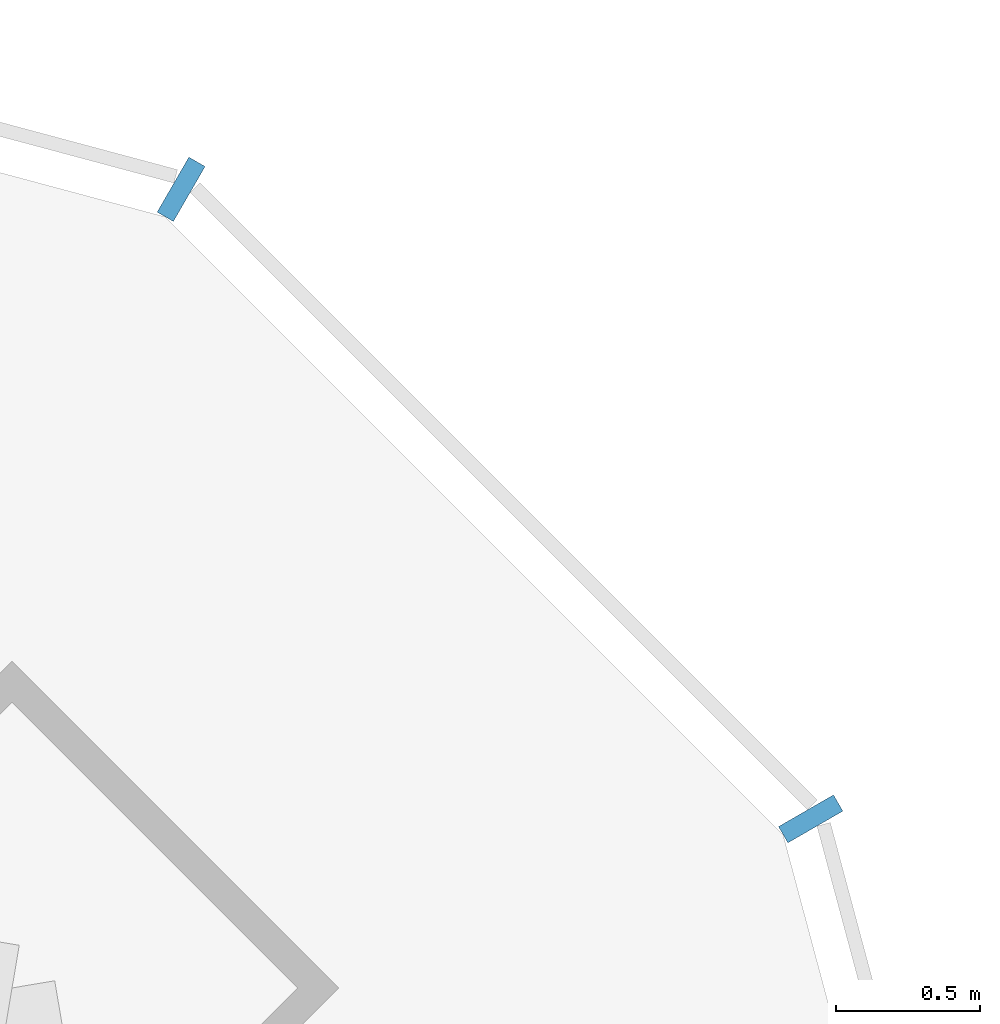
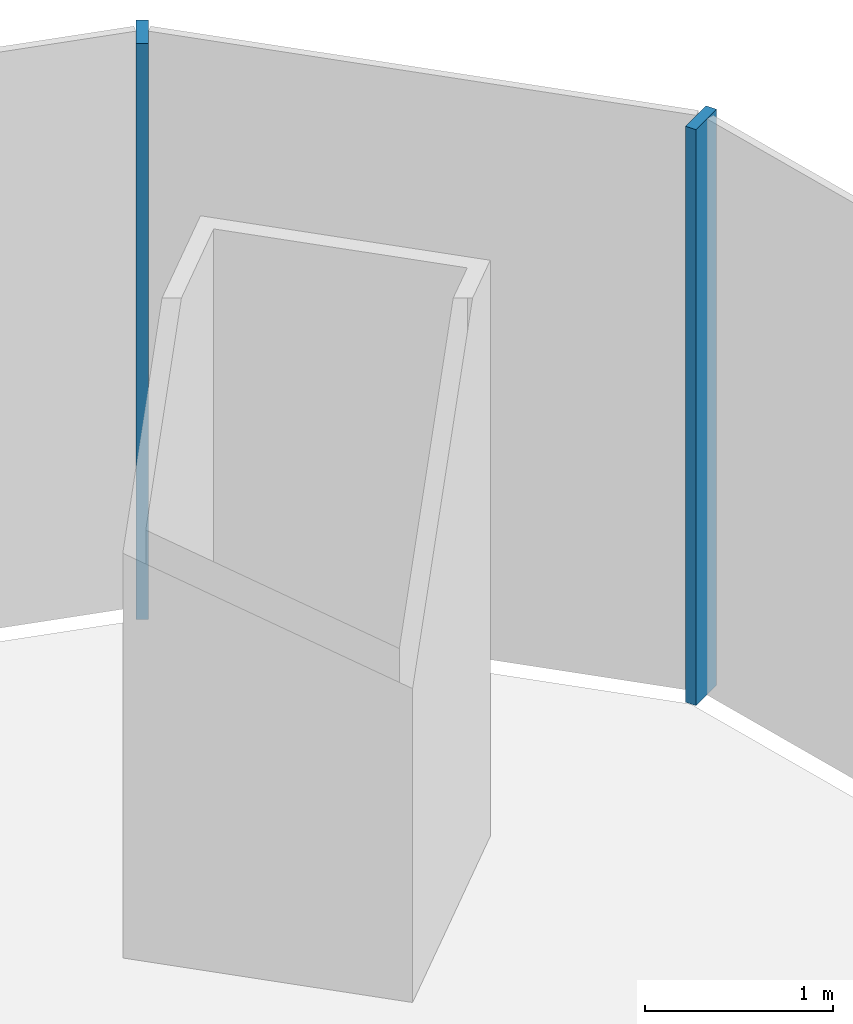
# One storey, part 8 of 20: 2 members, 1 element without a shape of its own.
"""IFC4 building model written with IfcOpenShell, lengths in metres."""

from ifc_helpers import new_model, si_unit, direction, frame, origin, origin_2d, place, context, subcontext, project, spatial, rectangle, extrude, material, material_profile, profile_set, type_object, element, aggregate, save


model = new_model("IFC4")

# Units and contexts
model_context = context("Model", 3, precision=1e-05, world=origin(), true_north=direction((0.0, 1.0)))
body_context = subcontext(model_context, "Body", "Model", "MODEL_VIEW")
ifc_project = project(units=[si_unit("LENGTHUNIT", "METRE"), si_unit("AREAUNIT", "SQUARE_METRE"), si_unit("VOLUMEUNIT", "CUBIC_METRE"), si_unit("PLANEANGLEUNIT", "RADIAN"), si_unit("MASSUNIT", "GRAM", prefix="KILO")], contexts=[model_context])

# Site, building, storey
site_placement = place(None, origin())
site = spatial("IfcSite", under=ifc_project, at=site_placement, CompositionType="ELEMENT")
building_placement = place(site_placement, origin())
building = spatial("IfcBuilding", under=site, at=building_placement, Name="Khuree Lantern Residences", CompositionType="ELEMENT")
storey_placement = place(building_placement, frame((0.0, 0.0, 32.25)))
storey = spatial("IfcBuildingStorey", under=building, at=storey_placement, Name="L07", CompositionType="ELEMENT", Elevation=32.25)

# Curtain wall, members
ifc_material = material(Name="Bronze anodised aluminium", Category="aluminium")
curtain_wall_type = type_object("IfcCurtainWallType", Name="CW-T2 TOWER CORNER CURTAIN WALL", PredefinedType="USERDEFINED", material=ifc_material)
curtain_wall_placement = place(storey_placement, origin())
curtain_wall = element("IfcCurtainWall", 1, at=curtain_wall_placement, inside=storey, type_object=curtain_wall_type, Name="L07 NORTH-EAST CORNER CURTAIN WALL", ObjectType="Faceted corner curtain wall", PredefinedType="USERDEFINED")
ifc_material_profile = material_profile(ifc_material, rectangle(XDim=0.06494140625, YDim=0.219970703125, at=origin_2d()), Name="M1 65X220")
ifc_profile_set = profile_set([ifc_material_profile], Name="Bronze anodised aluminium")
member_type = type_object("IfcMemberType", Name="M1 BRONZE MULLION TOWER 65X220", PredefinedType="MULLION", material=ifc_profile_set)
member_1_placement = place(storey_placement, frame((31.16162109375, 28.97998046875, 0.0), z_axis=(0.0, 0.0, 1.0), x_axis=(-0.500000056923, 0.86602537092, 0.0)))
member_1 = element("IfcMember", 2, at=member_1_placement, type_object=member_type, Name="L07 NORTH-EAST CORNER MULLION 16", PredefinedType="MULLION", context=body_context, shape_type="SweptSolid", body=[
    extrude(rectangle(XDim=0.06494140625, YDim=0.219970703125, at=origin_2d()), origin(), (0.0, 0.0, 1.0), 3.75),
])
member_2_placement = place(storey_placement, frame((28.97998046875, 31.16162109375, 0.0), z_axis=(0.0, 0.0, 1.0), x_axis=(-0.86602537092, 0.500000056923, 0.0)))
member_2 = element("IfcMember", 3, at=member_2_placement, type_object=member_type, Name="L07 NORTH-EAST CORNER MULLION 17", PredefinedType="MULLION", context=body_context, shape_type="SweptSolid", body=[
    extrude(rectangle(XDim=0.06494140625, YDim=0.219970703125, at=origin_2d()), origin(), (0.0, 0.0, 1.0), 3.75),
])
aggregate(curtain_wall, [member_1, member_2])

save(model, "model.ifc")
